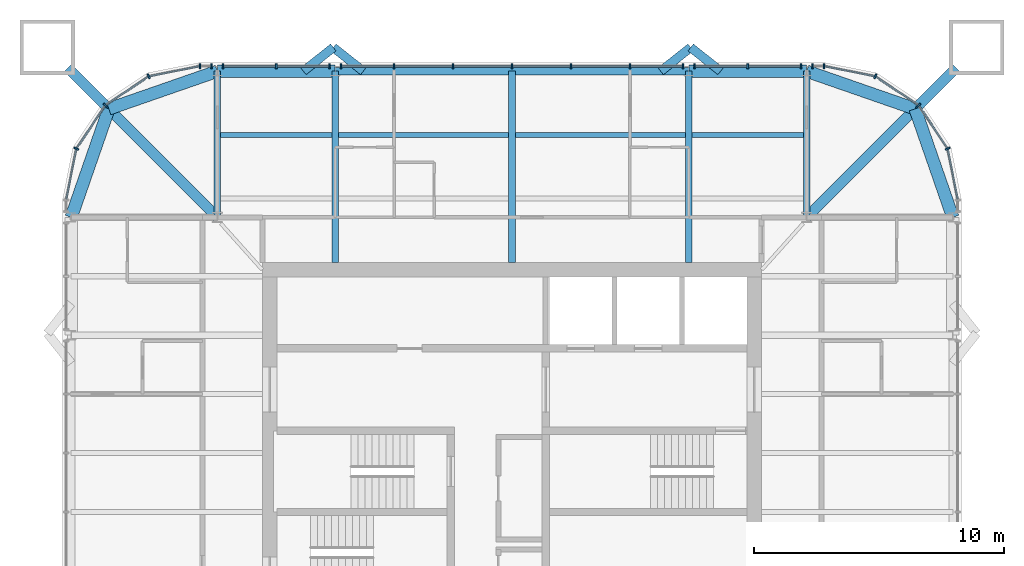
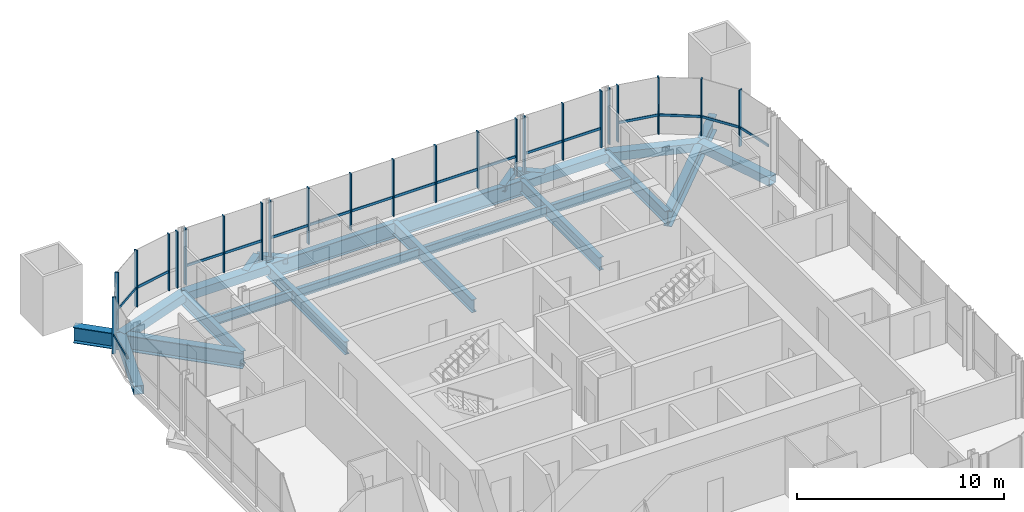
# One storey, part 6 of 17: 41 members, 22 beams, 7 elements without a shape of their own.
"""IFC4 building model written with IfcOpenShell, lengths in metres."""

from ifc_helpers import new_model, si_unit, direction, frame, origin, origin_2d, place, context, subcontext, project, spatial, rectangle, hollow_rectangle, i_section, extrude, material, material_profile, profile_set, type_object, element, aggregate, save


model = new_model("IFC4")

# Units and contexts
model_context = context("Model", 3, precision=1e-05, world=origin(), true_north=direction((0.0, 1.0)))
body_context = subcontext(model_context, "Body", "Model", "MODEL_VIEW")
ifc_project = project(units=[si_unit("LENGTHUNIT", "METRE"), si_unit("AREAUNIT", "SQUARE_METRE"), si_unit("VOLUMEUNIT", "CUBIC_METRE"), si_unit("PLANEANGLEUNIT", "RADIAN"), si_unit("MASSUNIT", "GRAM", prefix="KILO")], contexts=[model_context])

# Site, building, storey
site_placement = place(None, origin())
site = spatial("IfcSite", under=ifc_project, at=site_placement, CompositionType="ELEMENT")
building_placement = place(site_placement, origin())
building = spatial("IfcBuilding", under=site, at=building_placement, Name="Turquesa Mirador Hotel Tower", CompositionType="ELEMENT")
storey_placement = place(building_placement, frame((0.0, 0.0, 258.199951171875)))
storey = spatial("IfcBuildingStorey", under=building, at=storey_placement, Name="L70", CompositionType="ELEMENT", Elevation=258.199951171875)

# Beams
ifc_material_1 = material(Name="Steel ASTM A572 Grade 50", Category="steel")
ifc_material_profile_1 = material_profile(ifc_material_1, hollow_rectangle(XDim=0.5, YDim=0.5, WallThickness=0.01611328125, at=origin_2d()), Name="BOX500X500X16")
ifc_profile_set_1 = profile_set([ifc_material_profile_1], Name="Steel ASTM A572 Grade 50")
beam_type_1 = type_object("IfcBeamType", Name="BEAM BOX500X500X16", PredefinedType="BEAM", material=ifc_profile_set_1)
for number, where, z_axis, x_axis, name in (
    (1, (43.199951171875, 62.64990234375, -0.419921875), (1.0, 0.0, 0.0), (0.0, 1.0, 0.0), "EB-L70-N-L"),
    (2, (62.080078125, 62.64990234375, -0.419921875), (1.0, 0.0, 0.0), (0.0, 1.0, 0.0), "EB-L70-N-R"),
):
    element("IfcBeam", number, at=place(storey_placement, frame(where, z_axis=z_axis, x_axis=x_axis)), inside=storey, type_object=beam_type_1, Name=name, PredefinedType="BEAM", context=body_context, shape_type="SweptSolid", body=[
        extrude(hollow_rectangle(XDim=0.5, YDim=0.5, WallThickness=0.01611328125, at=origin_2d()), origin(), (0.0, 0.0, 1.0), 4.719970703125),
    ])
for number, where, z_axis, x_axis, name in (
    (3, (72.64990234375, 56.800048828125, -0.419921875), (-0.328170356092, 0.944618556552, 0.0), (-0.944618556552, -0.328170356092, 0.0), "KE-L70-1-0"),
    (4, (71.1416015625, 61.1416015625, -0.419921875), (-0.944618556552, 0.328170356092, 0.0), (-0.328170356092, -0.944618556552, 0.0), "KE-L70-1-1"),
    (5, (37.35009765625, 56.800048828125, -0.419921875), (0.328170356092, 0.944618556552, 0.0), (-0.944618556552, 0.328170356092, 0.0), "KE-L70-2-0"),
    (6, (38.8583984375, 61.1416015625, -0.419921875), (0.944618556552, 0.328170356092, 0.0), (-0.328170356092, 0.944618556552, 0.0), "KE-L70-2-1"),
):
    element("IfcBeam", number, at=place(storey_placement, frame(where, z_axis=z_axis, x_axis=x_axis)), inside=storey, type_object=beam_type_1, Name=name, PredefinedType="BEAM", context=body_context, shape_type="SweptSolid", body=[
        extrude(hollow_rectangle(XDim=0.5, YDim=0.5, WallThickness=0.01611328125, at=origin_2d()), origin(), (0.0, 0.0, 1.0), 4.59619140625),
    ])
ifc_material_2 = material(Name="Steel ASTM A992 Grade 50", Category="steel")
ifc_material_profile_2 = material_profile(ifc_material_2, i_section(OverallWidth=0.209228515625, OverallDepth=0.533447265625, WebThickness=0.01025390625, FlangeThickness=0.015625, at=origin_2d()), Name="W21X62")
ifc_profile_set_2 = profile_set([ifc_material_profile_2], Name="Steel ASTM A992 Grade 50")
beam_type_2 = type_object("IfcBeamType", Name="BEAM W21X62", PredefinedType="BEAM", material=ifc_profile_set_2)
beam_1_placement = place(storey_placement, frame((43.333251953125, 60.10009765625, -0.436767578125), z_axis=(1.0, 0.0, 0.0), x_axis=(0.0, 1.0, 0.0)))
element("IfcBeam", 7, at=beam_1_placement, inside=storey, type_object=beam_type_2, Name="IB-L70-N-2-0", PredefinedType="BEAM", context=body_context, shape_type="SweptSolid", body=[
    extrude(i_section(OverallWidth=0.209228515625, OverallDepth=0.533447265625, WebThickness=0.01025390625, FlangeThickness=0.015625, at=origin_2d()), origin(), (0.0, 0.0, 1.0), 4.453369140625),
])
for number, where, z_axis, x_axis, name in (
    (8, (48.053466796875, 60.10009765625, -0.436767578125), (1.0, 0.0, 0.0), (0.0, 1.0, 0.0), "IB-L70-N-2-1"),
    (9, (55.13330078125, 60.10009765625, -0.436767578125), (1.0, 0.0, 0.0), (0.0, 1.0, 0.0), "IB-L70-N-2-2"),
):
    element("IfcBeam", number, at=place(storey_placement, frame(where, z_axis=z_axis, x_axis=x_axis)), inside=storey, type_object=beam_type_2, Name=name, PredefinedType="BEAM", context=body_context, shape_type="SweptSolid", body=[
        extrude(i_section(OverallWidth=0.209228515625, OverallDepth=0.533447265625, WebThickness=0.01025390625, FlangeThickness=0.015625, at=origin_2d()), origin(), (0.0, 0.0, 1.0), 6.813232421875),
    ])
beam_2_placement = place(storey_placement, frame((62.21337890625, 60.10009765625, -0.436767578125), z_axis=(1.0, 0.0, 0.0), x_axis=(0.0, 1.0, 0.0)))
element("IfcBeam", 10, at=beam_2_placement, inside=storey, type_object=beam_type_2, Name="IB-L70-N-2-3", PredefinedType="BEAM", context=body_context, shape_type="SweptSolid", body=[
    extrude(i_section(OverallWidth=0.209228515625, OverallDepth=0.533447265625, WebThickness=0.01025390625, FlangeThickness=0.015625, at=origin_2d()), origin(), (0.0, 0.0, 1.0), 4.453369140625),
])
ifc_material_3 = material(Name="Steel ASTM A992 Grade 50", Category="steel")
ifc_material_profile_3 = material_profile(ifc_material_3, i_section(OverallWidth=0.2666015625, OverallDepth=0.7568359375, WebThickness=0.013916015625, FlangeThickness=0.019287109375, at=origin_2d()), Name="W30X108")
ifc_profile_set_3 = profile_set([ifc_material_profile_3], Name="Steel ASTM A992 Grade 50")
beam_type_3 = type_object("IfcBeamType", Name="BEAM W30X108", PredefinedType="BEAM", material=ifc_profile_set_3)
for number, where, z_axis, x_axis, name in (
    (11, (47.919921875, 62.64990234375, -0.54833984375), (0.0, -1.0, 0.0), (1.0, 0.0, 0.0), "GD-L70-N--7.08"),
    (12, (62.080078125, 62.64990234375, -0.54833984375), (0.0, -1.0, 0.0), (1.0, 0.0, 0.0), "GD-L70-N-+7.08"),
    (13, (55.0, 62.64990234375, -0.54833984375), (0.0, -1.0, 0.0), (1.0, 0.0, 0.0), "GD-L70-N-+0.00"),
):
    element("IfcBeam", number, at=place(storey_placement, frame(where, z_axis=z_axis, x_axis=x_axis)), inside=storey, type_object=beam_type_3, Name=name, PredefinedType="BEAM", context=body_context, shape_type="SweptSolid", body=[
        extrude(i_section(OverallWidth=0.2666015625, OverallDepth=0.7568359375, WebThickness=0.013916015625, FlangeThickness=0.019287109375, at=origin_2d()), origin(), (0.0, 0.0, 1.0), 7.64990234375),
    ])
for number, where, z_axis, x_axis, name in (
    (14, (43.199951171875, 62.64990234375, -0.54833984375), (0.0, -1.0, 0.0), (1.0, 0.0, 0.0), "GK-L70-N--11.80"),
    (15, (66.800048828125, 62.64990234375, -0.54833984375), (0.0, -1.0, 0.0), (1.0, 0.0, 0.0), "GK-L70-N-+11.80"),
):
    element("IfcBeam", number, at=place(storey_placement, frame(where, z_axis=z_axis, x_axis=x_axis)), inside=storey, type_object=beam_type_3, Name=name, PredefinedType="BEAM", context=body_context, shape_type="SweptSolid", body=[
        extrude(i_section(OverallWidth=0.2666015625, OverallDepth=0.7568359375, WebThickness=0.013916015625, FlangeThickness=0.019287109375, at=origin_2d()), origin(), (0.0, 0.0, 1.0), 5.849853515625),
    ])
ifc_material_4 = material(Name="Steel ASTM A992 Grade 50", Category="steel")
ifc_material_profile_4 = material_profile(ifc_material_4, i_section(OverallWidth=0.3046875, OverallDepth=0.911865234375, WebThickness=0.015869140625, FlangeThickness=0.02392578125, at=origin_2d()), Name="W36X150")
ifc_profile_set_4 = profile_set([ifc_material_profile_4], Name="Steel ASTM A992 Grade 50")
beam_type_4 = type_object("IfcBeamType", Name="BEAM W36X150", PredefinedType="BEAM", material=ifc_profile_set_4)
beam_3_placement = place(storey_placement, frame((47.919921875, 62.64990234375, -0.6259765625), z_axis=(1.0, 0.0, 0.0), x_axis=(0.0, 1.0, 0.0)))
element("IfcBeam", 16, at=beam_3_placement, inside=storey, type_object=beam_type_4, Name="EB-L70-N-C", PredefinedType="BEAM", context=body_context, shape_type="SweptSolid", body=[
    extrude(i_section(OverallWidth=0.3046875, OverallDepth=0.911865234375, WebThickness=0.015869140625, FlangeThickness=0.02392578125, at=origin_2d()), origin(), (0.0, 0.0, 1.0), 14.16015625),
])
ifc_material_5 = material(Name="Steel ASTM A992 Grade 50", Category="steel")
ifc_material_profile_5 = material_profile(ifc_material_5, i_section(OverallWidth=0.419189453125, OverallDepth=0.927001953125, WebThickness=0.019287109375, FlangeThickness=0.031982421875, at=origin_2d()), Name="W36X231")
ifc_profile_set_5 = profile_set([ifc_material_profile_5], Name="Steel ASTM A992 Grade 50")
beam_type_5 = type_object("IfcBeamType", Name="BEAM W36X231", PredefinedType="BEAM", material=ifc_profile_set_5)
for number, where, z_axis, x_axis, name in (
    (17, (66.800048828125, 56.800048828125, -0.633544921875), (0.707106781187, 0.707106781187, 0.0), (-0.707106781187, 0.707106781187, 0.0), "KD-L70-1"),
    (18, (43.199951171875, 56.800048828125, -0.633544921875), (-0.707106781187, 0.707106781187, 0.0), (-0.707106781187, -0.707106781187, 0.0), "KD-L70-2"),
):
    element("IfcBeam", number, at=place(storey_placement, frame(where, z_axis=z_axis, x_axis=x_axis)), inside=storey, type_object=beam_type_5, Name=name, PredefinedType="BEAM", context=body_context, shape_type="SweptSolid", body=[
        extrude(i_section(OverallWidth=0.419189453125, OverallDepth=0.927001953125, WebThickness=0.019287109375, FlangeThickness=0.031982421875, at=origin_2d()), origin(), (0.0, 0.0, 1.0), 8.46240234375),
    ])
ifc_material_6 = material(Name="Steel ASTM A500 Grade C", Category="steel")
ifc_material_profile_6 = material_profile(ifc_material_6, hollow_rectangle(XDim=0.355712890625, YDim=0.355712890625, WallThickness=0.0146484375, at=origin_2d()), Name="HSS14X14X5/8")
ifc_profile_set_6 = profile_set([ifc_material_profile_6], Name="Steel ASTM A500 Grade C")
beam_type_6 = type_object("IfcBeamType", Name="BRACE STRUT HSS14X14X5/8", PredefinedType="BEAM", material=ifc_profile_set_6)
for number, where, z_axis, x_axis, name in (
    (19, (62.15380859375, 63.60009765625, -0.34765625), (-0.783971428146, -0.620796907089, 0.0), (0.620796907089, -0.783971428146, 0.0), "Brace strut"),
    (20, (62.15380859375, 63.60009765625, -0.34765625), (0.783971428146, -0.620796907089, 0.0), (0.620796907089, 0.783971428146, 0.0), "Brace strut"),
    (21, (47.84619140625, 63.60009765625, -0.34765625), (-0.783971428146, -0.620796907089, 0.0), (0.620796907089, -0.783971428146, 0.0), "Brace strut"),
    (22, (47.84619140625, 63.60009765625, -0.34765625), (0.783971428146, -0.620796907089, 0.0), (0.620796907089, 0.783971428146, 0.0), "Brace strut"),
):
    element("IfcBeam", number, at=place(storey_placement, frame(where, z_axis=z_axis, x_axis=x_axis)), inside=storey, type_object=beam_type_6, Name=name, PredefinedType="BEAM", context=body_context, shape_type="SweptSolid", body=[
        extrude(hollow_rectangle(XDim=0.355712890625, YDim=0.355712890625, WallThickness=0.0146484375, at=origin_2d()), origin(), (0.0, 0.0, 1.0), 1.530517578125),
    ])

# Curtain wall, members
ifc_material_7 = material(Name="Aluminium extrusion", Category="aluminium")
curtain_wall_type = type_object("IfcCurtainWallType", Name="CW-4 SUITE FRITTED CURTAIN WALL", PredefinedType="USERDEFINED", material=ifc_material_7)
curtain_wall_1_placement = place(storey_placement, origin())
curtain_wall_1 = element("IfcCurtainWall", 23, at=curtain_wall_1_placement, inside=storey, type_object=curtain_wall_type, Name="CW-4 SUITE FRITTED CURTAIN WALL L70", ObjectType="CURTAIN WALL", PredefinedType="USERDEFINED")
ifc_material_8 = material(Name="Aluminium extrusion", Category="aluminium")
ifc_material_profile_7 = material_profile(ifc_material_8, rectangle(XDim=0.06494140625, YDim=0.199951171875, at=origin_2d()), Name="MULLION 65X200")
ifc_profile_set_7 = profile_set([ifc_material_profile_7], Name="Aluminium extrusion")
member_type_1 = type_object("IfcMemberType", Name="CW MULLION 65X200", PredefinedType="MULLION", material=ifc_profile_set_7)
member_1_placement = place(storey_placement, frame((72.44287109375, 59.54736328125, 0.0), z_axis=(0.0, 0.0, 1.0), x_axis=(-0.382683432365, 0.923879532511, 0.0)))
member_1 = element("IfcMember", 24, at=member_1_placement, type_object=member_type_1, Name="Mullion", PredefinedType="MULLION", context=body_context, shape_type="SweptSolid", body=[
    extrude(rectangle(XDim=0.06494140625, YDim=0.199951171875, at=origin_2d()), origin(), (0.0, 0.0, 1.0), 3.330078125),
])
member_2_placement = place(storey_placement, frame((71.282958984375, 61.282958984375, 0.0), z_axis=(0.0, 0.0, 1.0), x_axis=(-0.707106781187, 0.707106781187, 0.0)))
member_2 = element("IfcMember", 25, at=member_2_placement, type_object=member_type_1, Name="Mullion", PredefinedType="MULLION", context=body_context, shape_type="SweptSolid", body=[
    extrude(rectangle(XDim=0.06494140625, YDim=0.199951171875, at=origin_2d()), origin(), (0.0, 0.0, 1.0), 3.330078125),
])
member_3_placement = place(storey_placement, frame((69.54736328125, 62.44287109375, 0.0), z_axis=(0.0, 0.0, 1.0), x_axis=(-0.923879532511, 0.382683432365, 0.0)))
member_3 = element("IfcMember", 26, at=member_3_placement, type_object=member_type_1, Name="Mullion", PredefinedType="MULLION", context=body_context, shape_type="SweptSolid", body=[
    extrude(rectangle(XDim=0.06494140625, YDim=0.199951171875, at=origin_2d()), origin(), (0.0, 0.0, 1.0), 3.330078125),
])

curtain_wall_2_placement = place(storey_placement, origin())
curtain_wall_2 = element("IfcCurtainWall", 27, at=curtain_wall_2_placement, inside=storey, type_object=curtain_wall_type, Name="CW-4 SUITE FRITTED CURTAIN WALL L70", ObjectType="CURTAIN WALL", PredefinedType="USERDEFINED")
member_4_placement = place(storey_placement, frame((67.5, 62.85009765625, 0.0), z_axis=(0.0, 0.0, 1.0), x_axis=(-1.0, 0.0, 0.0)))
member_4 = element("IfcMember", 28, at=member_4_placement, type_object=member_type_1, Name="Mullion", PredefinedType="MULLION", context=body_context, shape_type="SweptSolid", body=[
    extrude(rectangle(XDim=0.06494140625, YDim=0.199951171875, at=origin_2d()), origin(), (0.0, 0.0, 1.0), 3.330078125),
])
member_5_placement = place(storey_placement, frame((67.033935546875, 62.85009765625, 0.0), z_axis=(0.0, 0.0, 1.0), x_axis=(-1.0, 0.0, 0.0)))
member_5 = element("IfcMember", 29, at=member_5_placement, type_object=member_type_1, Name="Mullion", PredefinedType="MULLION", context=body_context, shape_type="SweptSolid", body=[
    extrude(rectangle(XDim=0.06494140625, YDim=0.199951171875, at=origin_2d()), origin(), (0.0, 0.0, 1.0), 3.330078125),
])
aggregate(curtain_wall_2, [member_4, member_5])

curtain_wall_3_placement = place(storey_placement, origin())
curtain_wall_3 = element("IfcCurtainWall", 30, at=curtain_wall_3_placement, inside=storey, type_object=curtain_wall_type, Name="CW-4 SUITE FRITTED CURTAIN WALL L70", ObjectType="CURTAIN WALL", PredefinedType="USERDEFINED")
member_6_placement = place(storey_placement, frame((66.566162109375, 62.85009765625, 0.0), z_axis=(0.0, 0.0, 1.0), x_axis=(-1.0, 0.0, 0.0)))
member_6 = element("IfcMember", 31, at=member_6_placement, type_object=member_type_1, Name="Mullion", PredefinedType="MULLION", context=body_context, shape_type="SweptSolid", body=[
    extrude(rectangle(XDim=0.06494140625, YDim=0.199951171875, at=origin_2d()), origin(), (0.0, 0.0, 1.0), 3.330078125),
])
member_7_placement = place(storey_placement, frame((64.43994140625, 62.85009765625, 0.0), z_axis=(0.0, 0.0, 1.0), x_axis=(-1.0, 0.0, 0.0)))
member_7 = element("IfcMember", 32, at=member_7_placement, type_object=member_type_1, Name="Mullion", PredefinedType="MULLION", context=body_context, shape_type="SweptSolid", body=[
    extrude(rectangle(XDim=0.06494140625, YDim=0.199951171875, at=origin_2d()), origin(), (0.0, 0.0, 1.0), 3.330078125),
])
member_8_placement = place(storey_placement, frame((62.31396484375, 62.85009765625, 0.0), z_axis=(0.0, 0.0, 1.0), x_axis=(-1.0, 0.0, 0.0)))
member_8 = element("IfcMember", 33, at=member_8_placement, type_object=member_type_1, Name="Mullion", PredefinedType="MULLION", context=body_context, shape_type="SweptSolid", body=[
    extrude(rectangle(XDim=0.06494140625, YDim=0.199951171875, at=origin_2d()), origin(), (0.0, 0.0, 1.0), 3.330078125),
])

curtain_wall_4_placement = place(storey_placement, origin())
curtain_wall_4 = element("IfcCurtainWall", 34, at=curtain_wall_4_placement, inside=storey, type_object=curtain_wall_type, Name="CW-4 SUITE FRITTED CURTAIN WALL L70", ObjectType="CURTAIN WALL", PredefinedType="USERDEFINED")
member_9_placement = place(storey_placement, frame((61.84619140625, 62.85009765625, 0.0), z_axis=(0.0, 0.0, 1.0), x_axis=(-1.0, 0.0, 0.0)))
member_9 = element("IfcMember", 35, at=member_9_placement, type_object=member_type_1, Name="Mullion", PredefinedType="MULLION", context=body_context, shape_type="SweptSolid", body=[
    extrude(rectangle(XDim=0.06494140625, YDim=0.199951171875, at=origin_2d()), origin(), (0.0, 0.0, 1.0), 3.330078125),
])
member_10_placement = place(storey_placement, frame((59.719970703125, 62.85009765625, 0.0), z_axis=(0.0, 0.0, 1.0), x_axis=(-1.0, 0.0, 0.0)))
member_10 = element("IfcMember", 36, at=member_10_placement, type_object=member_type_1, Name="Mullion", PredefinedType="MULLION", context=body_context, shape_type="SweptSolid", body=[
    extrude(rectangle(XDim=0.06494140625, YDim=0.199951171875, at=origin_2d()), origin(), (0.0, 0.0, 1.0), 3.330078125),
])
member_11_placement = place(storey_placement, frame((57.360107421875, 62.85009765625, 0.0), z_axis=(0.0, 0.0, 1.0), x_axis=(-1.0, 0.0, 0.0)))
member_11 = element("IfcMember", 37, at=member_11_placement, type_object=member_type_1, Name="Mullion", PredefinedType="MULLION", context=body_context, shape_type="SweptSolid", body=[
    extrude(rectangle(XDim=0.06494140625, YDim=0.199951171875, at=origin_2d()), origin(), (0.0, 0.0, 1.0), 3.330078125),
])
member_12_placement = place(storey_placement, frame((55.0, 62.85009765625, 0.0), z_axis=(0.0, 0.0, 1.0), x_axis=(-1.0, 0.0, 0.0)))
member_12 = element("IfcMember", 38, at=member_12_placement, type_object=member_type_1, Name="Mullion", PredefinedType="MULLION", context=body_context, shape_type="SweptSolid", body=[
    extrude(rectangle(XDim=0.06494140625, YDim=0.199951171875, at=origin_2d()), origin(), (0.0, 0.0, 1.0), 3.330078125),
])
member_13_placement = place(storey_placement, frame((52.639892578125, 62.85009765625, 0.0), z_axis=(0.0, 0.0, 1.0), x_axis=(-1.0, 0.0, 0.0)))
member_13 = element("IfcMember", 39, at=member_13_placement, type_object=member_type_1, Name="Mullion", PredefinedType="MULLION", context=body_context, shape_type="SweptSolid", body=[
    extrude(rectangle(XDim=0.06494140625, YDim=0.199951171875, at=origin_2d()), origin(), (0.0, 0.0, 1.0), 3.330078125),
])
member_14_placement = place(storey_placement, frame((50.280029296875, 62.85009765625, 0.0), z_axis=(0.0, 0.0, 1.0), x_axis=(-1.0, 0.0, 0.0)))
member_14 = element("IfcMember", 40, at=member_14_placement, type_object=member_type_1, Name="Mullion", PredefinedType="MULLION", context=body_context, shape_type="SweptSolid", body=[
    extrude(rectangle(XDim=0.06494140625, YDim=0.199951171875, at=origin_2d()), origin(), (0.0, 0.0, 1.0), 3.330078125),
])
member_15_placement = place(storey_placement, frame((48.15380859375, 62.85009765625, 0.0), z_axis=(0.0, 0.0, 1.0), x_axis=(-1.0, 0.0, 0.0)))
member_15 = element("IfcMember", 41, at=member_15_placement, type_object=member_type_1, Name="Mullion", PredefinedType="MULLION", context=body_context, shape_type="SweptSolid", body=[
    extrude(rectangle(XDim=0.06494140625, YDim=0.199951171875, at=origin_2d()), origin(), (0.0, 0.0, 1.0), 3.330078125),
])

curtain_wall_5_placement = place(storey_placement, origin())
curtain_wall_5 = element("IfcCurtainWall", 42, at=curtain_wall_5_placement, inside=storey, type_object=curtain_wall_type, Name="CW-4 SUITE FRITTED CURTAIN WALL L70", ObjectType="CURTAIN WALL", PredefinedType="USERDEFINED")
member_16_placement = place(storey_placement, frame((47.68603515625, 62.85009765625, 0.0), z_axis=(0.0, 0.0, 1.0), x_axis=(-1.0, 0.0, 0.0)))
member_16 = element("IfcMember", 43, at=member_16_placement, type_object=member_type_1, Name="Mullion", PredefinedType="MULLION", context=body_context, shape_type="SweptSolid", body=[
    extrude(rectangle(XDim=0.06494140625, YDim=0.199951171875, at=origin_2d()), origin(), (0.0, 0.0, 1.0), 3.330078125),
])
member_17_placement = place(storey_placement, frame((45.56005859375, 62.85009765625, 0.0), z_axis=(0.0, 0.0, 1.0), x_axis=(-1.0, 0.0, 0.0)))
member_17 = element("IfcMember", 44, at=member_17_placement, type_object=member_type_1, Name="Mullion", PredefinedType="MULLION", context=body_context, shape_type="SweptSolid", body=[
    extrude(rectangle(XDim=0.06494140625, YDim=0.199951171875, at=origin_2d()), origin(), (0.0, 0.0, 1.0), 3.330078125),
])
member_18_placement = place(storey_placement, frame((43.433837890625, 62.85009765625, 0.0), z_axis=(0.0, 0.0, 1.0), x_axis=(-1.0, 0.0, 0.0)))
member_18 = element("IfcMember", 45, at=member_18_placement, type_object=member_type_1, Name="Mullion", PredefinedType="MULLION", context=body_context, shape_type="SweptSolid", body=[
    extrude(rectangle(XDim=0.06494140625, YDim=0.199951171875, at=origin_2d()), origin(), (0.0, 0.0, 1.0), 3.330078125),
])

curtain_wall_6_placement = place(storey_placement, origin())
curtain_wall_6 = element("IfcCurtainWall", 46, at=curtain_wall_6_placement, inside=storey, type_object=curtain_wall_type, Name="CW-4 SUITE FRITTED CURTAIN WALL L70", ObjectType="CURTAIN WALL", PredefinedType="USERDEFINED")
member_19_placement = place(storey_placement, frame((42.966064453125, 62.85009765625, 0.0), z_axis=(0.0, 0.0, 1.0), x_axis=(-1.0, 0.0, 0.0)))
member_19 = element("IfcMember", 47, at=member_19_placement, type_object=member_type_1, Name="Mullion", PredefinedType="MULLION", context=body_context, shape_type="SweptSolid", body=[
    extrude(rectangle(XDim=0.06494140625, YDim=0.199951171875, at=origin_2d()), origin(), (0.0, 0.0, 1.0), 3.330078125),
])
member_20_placement = place(storey_placement, frame((42.5, 62.85009765625, 0.0), z_axis=(0.0, 0.0, 1.0), x_axis=(-1.0, 0.0, 0.0)))
member_20 = element("IfcMember", 48, at=member_20_placement, type_object=member_type_1, Name="Mullion", PredefinedType="MULLION", context=body_context, shape_type="SweptSolid", body=[
    extrude(rectangle(XDim=0.06494140625, YDim=0.199951171875, at=origin_2d()), origin(), (0.0, 0.0, 1.0), 3.330078125),
])
aggregate(curtain_wall_6, [member_19, member_20])

curtain_wall_7_placement = place(storey_placement, origin())
curtain_wall_7 = element("IfcCurtainWall", 49, at=curtain_wall_7_placement, inside=storey, type_object=curtain_wall_type, Name="CW-4 SUITE FRITTED CURTAIN WALL L70", ObjectType="CURTAIN WALL", PredefinedType="USERDEFINED")
member_21_placement = place(storey_placement, frame((40.45263671875, 62.44287109375, 0.0), z_axis=(0.0, 0.0, 1.0), x_axis=(-0.923879532511, -0.382683432365, 0.0)))
member_21 = element("IfcMember", 50, at=member_21_placement, type_object=member_type_1, Name="Mullion", PredefinedType="MULLION", context=body_context, shape_type="SweptSolid", body=[
    extrude(rectangle(XDim=0.06494140625, YDim=0.199951171875, at=origin_2d()), origin(), (0.0, 0.0, 1.0), 3.330078125),
])
member_22_placement = place(storey_placement, frame((38.717041015625, 61.282958984375, 0.0), z_axis=(0.0, 0.0, 1.0), x_axis=(-0.707106781187, -0.707106781187, 0.0)))
member_22 = element("IfcMember", 51, at=member_22_placement, type_object=member_type_1, Name="Mullion", PredefinedType="MULLION", context=body_context, shape_type="SweptSolid", body=[
    extrude(rectangle(XDim=0.06494140625, YDim=0.199951171875, at=origin_2d()), origin(), (0.0, 0.0, 1.0), 3.330078125),
])
member_23_placement = place(storey_placement, frame((37.55712890625, 59.54736328125, 0.0), z_axis=(0.0, 0.0, 1.0), x_axis=(-0.382683432365, -0.923879532511, 0.0)))
member_23 = element("IfcMember", 52, at=member_23_placement, type_object=member_type_1, Name="Mullion", PredefinedType="MULLION", context=body_context, shape_type="SweptSolid", body=[
    extrude(rectangle(XDim=0.06494140625, YDim=0.199951171875, at=origin_2d()), origin(), (0.0, 0.0, 1.0), 3.330078125),
])

# Member
ifc_material_9 = material(Name="Aluminium extrusion", Category="aluminium")
ifc_material_profile_8 = material_profile(ifc_material_9, rectangle(XDim=0.06494140625, YDim=0.14990234375, at=origin_2d()), Name="TRANSOM 65X150")
ifc_profile_set_8 = profile_set([ifc_material_profile_8], Name="Aluminium extrusion")
member_type_2 = type_object("IfcMemberType", Name="CW TRANSOM 65X150", PredefinedType="USERDEFINED", material=ifc_profile_set_8)
member_24_placement = place(storey_placement, frame((72.84375, 57.531982421875, 1.10009765625), z_axis=(-0.195210621934, 0.980761343592, 0.0), x_axis=(-0.980761343592, -0.195210621934, 0.0)))
member_24 = element("IfcMember", 53, at=member_24_placement, type_object=member_type_2, Name="Transom", ObjectType="TRANSOM", PredefinedType="USERDEFINED", context=body_context, shape_type="SweptSolid", body=[
    extrude(rectangle(XDim=0.06494140625, YDim=0.14990234375, at=origin_2d()), origin(), (0.0, 0.0, 1.0), 2.022216796875),
])

member_25_placement = place(storey_placement, frame((72.4248046875, 59.574462890625, 1.10009765625), z_axis=(-0.555619095835, 0.831436961136, 0.0), x_axis=(-0.831436961136, -0.555619095835, 0.0)))
member_25 = element("IfcMember", 54, at=member_25_placement, type_object=member_type_2, Name="Transom", ObjectType="TRANSOM", PredefinedType="USERDEFINED", context=body_context, shape_type="SweptSolid", body=[
    extrude(rectangle(XDim=0.06494140625, YDim=0.14990234375, at=origin_2d()), origin(), (0.0, 0.0, 1.0), 2.0224609375),
])

member_26_placement = place(storey_placement, frame((71.256103515625, 61.301025390625, 1.10009765625), z_axis=(-0.831436961136, 0.555619095835, 0.0), x_axis=(-0.555619095835, -0.831436961136, 0.0)))
member_26 = element("IfcMember", 55, at=member_26_placement, type_object=member_type_2, Name="Transom", ObjectType="TRANSOM", PredefinedType="USERDEFINED", context=body_context, shape_type="SweptSolid", body=[
    extrude(rectangle(XDim=0.06494140625, YDim=0.14990234375, at=origin_2d()), origin(), (0.0, 0.0, 1.0), 2.0224609375),
])

member_27_placement = place(storey_placement, frame((69.515380859375, 62.448974609375, 1.10009765625), z_axis=(-0.980761343592, 0.195210621934, 0.0), x_axis=(-0.195210621934, -0.980761343592, 0.0)))
member_27 = element("IfcMember", 56, at=member_27_placement, type_object=member_type_2, Name="Transom", ObjectType="TRANSOM", PredefinedType="USERDEFINED", context=body_context, shape_type="SweptSolid", body=[
    extrude(rectangle(XDim=0.06494140625, YDim=0.14990234375, at=origin_2d()), origin(), (0.0, 0.0, 1.0), 2.022216796875),
])

aggregate(curtain_wall_1, [member_1, member_2, member_3, member_24, member_25, member_26, member_27])

member_28_placement = place(storey_placement, frame((66.53369140625, 62.85009765625, 1.10009765625), z_axis=(-1.0, 0.0, 0.0), x_axis=(0.0, -1.0, 0.0)))
member_28 = element("IfcMember", 57, at=member_28_placement, type_object=member_type_2, Name="Transom", ObjectType="TRANSOM", PredefinedType="USERDEFINED", context=body_context, shape_type="SweptSolid", body=[
    extrude(rectangle(XDim=0.06494140625, YDim=0.14990234375, at=origin_2d()), origin(), (0.0, 0.0, 1.0), 2.061279296875),
])

member_29_placement = place(storey_placement, frame((64.407470703125, 62.85009765625, 1.10009765625), z_axis=(-1.0, 0.0, 0.0), x_axis=(0.0, -1.0, 0.0)))
member_29 = element("IfcMember", 58, at=member_29_placement, type_object=member_type_2, Name="Transom", ObjectType="TRANSOM", PredefinedType="USERDEFINED", context=body_context, shape_type="SweptSolid", body=[
    extrude(rectangle(XDim=0.06494140625, YDim=0.14990234375, at=origin_2d()), origin(), (0.0, 0.0, 1.0), 2.06103515625),
])

aggregate(curtain_wall_3, [member_6, member_7, member_8, member_28, member_29])

member_30_placement = place(storey_placement, frame((61.813720703125, 62.85009765625, 1.10009765625), z_axis=(-1.0, 0.0, 0.0), x_axis=(0.0, -1.0, 0.0)))
member_30 = element("IfcMember", 59, at=member_30_placement, type_object=member_type_2, Name="Transom", ObjectType="TRANSOM", PredefinedType="USERDEFINED", context=body_context, shape_type="SweptSolid", body=[
    extrude(rectangle(XDim=0.06494140625, YDim=0.14990234375, at=origin_2d()), origin(), (0.0, 0.0, 1.0), 2.061279296875),
])

member_31_placement = place(storey_placement, frame((59.6875, 62.85009765625, 1.10009765625), z_axis=(-1.0, 0.0, 0.0), x_axis=(0.0, -1.0, 0.0)))
member_31 = element("IfcMember", 60, at=member_31_placement, type_object=member_type_2, Name="Transom", ObjectType="TRANSOM", PredefinedType="USERDEFINED", context=body_context, shape_type="SweptSolid", body=[
    extrude(rectangle(XDim=0.06494140625, YDim=0.14990234375, at=origin_2d()), origin(), (0.0, 0.0, 1.0), 2.294921875),
])

member_32_placement = place(storey_placement, frame((57.327392578125, 62.85009765625, 1.10009765625), z_axis=(-1.0, 0.0, 0.0), x_axis=(0.0, -1.0, 0.0)))
member_32 = element("IfcMember", 61, at=member_32_placement, type_object=member_type_2, Name="Transom", ObjectType="TRANSOM", PredefinedType="USERDEFINED", context=body_context, shape_type="SweptSolid", body=[
    extrude(rectangle(XDim=0.06494140625, YDim=0.14990234375, at=origin_2d()), origin(), (0.0, 0.0, 1.0), 2.294921875),
])

member_33_placement = place(storey_placement, frame((54.967529296875, 62.85009765625, 1.10009765625), z_axis=(-1.0, 0.0, 0.0), x_axis=(0.0, -1.0, 0.0)))
member_33 = element("IfcMember", 62, at=member_33_placement, type_object=member_type_2, Name="Transom", ObjectType="TRANSOM", PredefinedType="USERDEFINED", context=body_context, shape_type="SweptSolid", body=[
    extrude(rectangle(XDim=0.06494140625, YDim=0.14990234375, at=origin_2d()), origin(), (0.0, 0.0, 1.0), 2.294921875),
])

member_34_placement = place(storey_placement, frame((52.607421875, 62.85009765625, 1.10009765625), z_axis=(-1.0, 0.0, 0.0), x_axis=(0.0, -1.0, 0.0)))
member_34 = element("IfcMember", 63, at=member_34_placement, type_object=member_type_2, Name="Transom", ObjectType="TRANSOM", PredefinedType="USERDEFINED", context=body_context, shape_type="SweptSolid", body=[
    extrude(rectangle(XDim=0.06494140625, YDim=0.14990234375, at=origin_2d()), origin(), (0.0, 0.0, 1.0), 2.294921875),
])

member_35_placement = place(storey_placement, frame((50.24755859375, 62.85009765625, 1.10009765625), z_axis=(-1.0, 0.0, 0.0), x_axis=(0.0, -1.0, 0.0)))
member_35 = element("IfcMember", 64, at=member_35_placement, type_object=member_type_2, Name="Transom", ObjectType="TRANSOM", PredefinedType="USERDEFINED", context=body_context, shape_type="SweptSolid", body=[
    extrude(rectangle(XDim=0.06494140625, YDim=0.14990234375, at=origin_2d()), origin(), (0.0, 0.0, 1.0), 2.061279296875),
])

aggregate(curtain_wall_4, [member_9, member_10, member_11, member_12, member_13, member_14, member_15, member_30, member_31, member_32, member_33, member_34, member_35])

member_36_placement = place(storey_placement, frame((47.653564453125, 62.85009765625, 1.10009765625), z_axis=(-1.0, 0.0, 0.0), x_axis=(0.0, -1.0, 0.0)))
member_36 = element("IfcMember", 65, at=member_36_placement, type_object=member_type_2, Name="Transom", ObjectType="TRANSOM", PredefinedType="USERDEFINED", context=body_context, shape_type="SweptSolid", body=[
    extrude(rectangle(XDim=0.06494140625, YDim=0.14990234375, at=origin_2d()), origin(), (0.0, 0.0, 1.0), 2.06103515625),
])

member_37_placement = place(storey_placement, frame((45.527587890625, 62.85009765625, 1.10009765625), z_axis=(-1.0, 0.0, 0.0), x_axis=(0.0, -1.0, 0.0)))
member_37 = element("IfcMember", 66, at=member_37_placement, type_object=member_type_2, Name="Transom", ObjectType="TRANSOM", PredefinedType="USERDEFINED", context=body_context, shape_type="SweptSolid", body=[
    extrude(rectangle(XDim=0.06494140625, YDim=0.14990234375, at=origin_2d()), origin(), (0.0, 0.0, 1.0), 2.061279296875),
])

aggregate(curtain_wall_5, [member_16, member_17, member_18, member_36, member_37])

member_38_placement = place(storey_placement, frame((42.468017578125, 62.84375, 1.10009765625), z_axis=(-0.980761343592, -0.195210621934, 0.0), x_axis=(0.195210621934, -0.980761343592, 0.0)))
member_38 = element("IfcMember", 67, at=member_38_placement, type_object=member_type_2, Name="Transom", ObjectType="TRANSOM", PredefinedType="USERDEFINED", context=body_context, shape_type="SweptSolid", body=[
    extrude(rectangle(XDim=0.06494140625, YDim=0.14990234375, at=origin_2d()), origin(), (0.0, 0.0, 1.0), 2.022216796875),
])

member_39_placement = place(storey_placement, frame((40.425537109375, 62.4248046875, 1.10009765625), z_axis=(-0.831436961136, -0.555619095835, 0.0), x_axis=(0.555619095835, -0.831436961136, 0.0)))
member_39 = element("IfcMember", 68, at=member_39_placement, type_object=member_type_2, Name="Transom", ObjectType="TRANSOM", PredefinedType="USERDEFINED", context=body_context, shape_type="SweptSolid", body=[
    extrude(rectangle(XDim=0.06494140625, YDim=0.14990234375, at=origin_2d()), origin(), (0.0, 0.0, 1.0), 2.0224609375),
])

member_40_placement = place(storey_placement, frame((38.698974609375, 61.256103515625, 1.10009765625), z_axis=(-0.555619095835, -0.831436961136, 0.0), x_axis=(0.831436961136, -0.555619095835, 0.0)))
member_40 = element("IfcMember", 69, at=member_40_placement, type_object=member_type_2, Name="Transom", ObjectType="TRANSOM", PredefinedType="USERDEFINED", context=body_context, shape_type="SweptSolid", body=[
    extrude(rectangle(XDim=0.06494140625, YDim=0.14990234375, at=origin_2d()), origin(), (0.0, 0.0, 1.0), 2.0224609375),
])

member_41_placement = place(storey_placement, frame((37.551025390625, 59.515380859375, 1.10009765625), z_axis=(-0.195210621934, -0.980761343592, 0.0), x_axis=(0.980761343592, -0.195210621934, 0.0)))
member_41 = element("IfcMember", 70, at=member_41_placement, type_object=member_type_2, Name="Transom", ObjectType="TRANSOM", PredefinedType="USERDEFINED", context=body_context, shape_type="SweptSolid", body=[
    extrude(rectangle(XDim=0.06494140625, YDim=0.14990234375, at=origin_2d()), origin(), (0.0, 0.0, 1.0), 2.022216796875),
])

aggregate(curtain_wall_7, [member_21, member_22, member_23, member_38, member_39, member_40, member_41])

save(model, "model.ifc")
